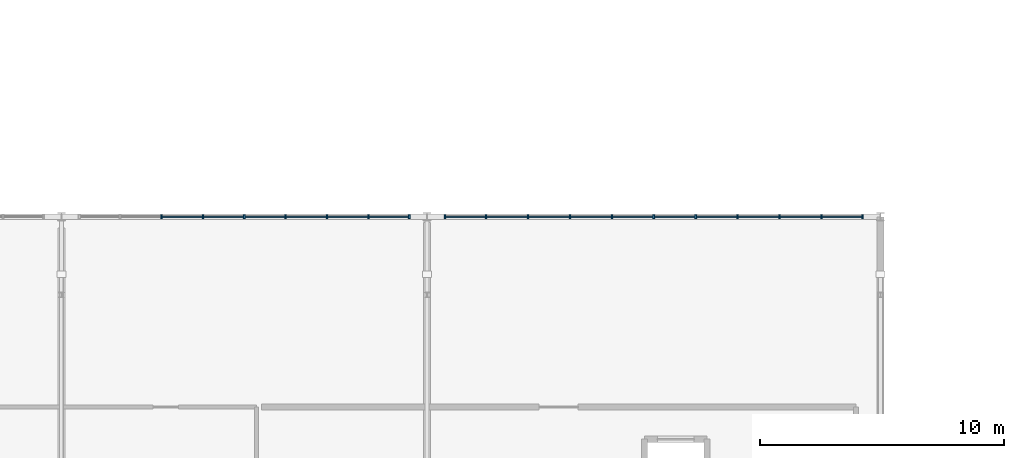
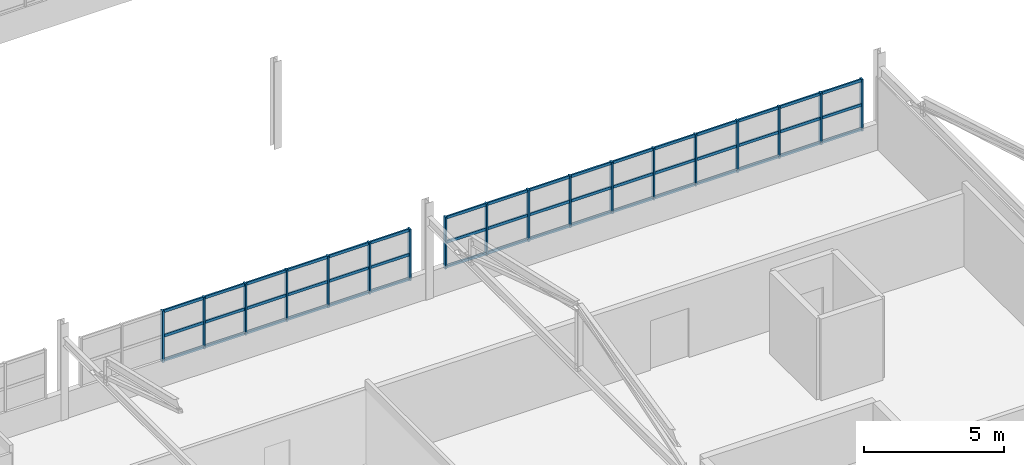
# One storey, part 25 of 90: 66 members, 2 elements without a shape of their own.
"""IFC4 building model written with IfcOpenShell, lengths in metres."""

from ifc_helpers import new_model, si_unit, direction, frame, origin, origin_2d, place, context, subcontext, project, spatial, rectangle, extrude, material, material_profile, profile_set, type_object, element, aggregate, save


model = new_model("IFC4")

# Units and contexts
model_context = context("Model", 3, precision=1e-05, world=origin(), true_north=direction((0.0, 1.0)))
body_context = subcontext(model_context, "Body", "Model", "MODEL_VIEW")
ifc_project = project(units=[si_unit("LENGTHUNIT", "METRE"), si_unit("AREAUNIT", "SQUARE_METRE"), si_unit("VOLUMEUNIT", "CUBIC_METRE"), si_unit("PLANEANGLEUNIT", "RADIAN"), si_unit("MASSUNIT", "GRAM", prefix="KILO")], contexts=[model_context])

# Site, building, storey
site_placement = place(None, origin())
site = spatial("IfcSite", under=ifc_project, at=site_placement, CompositionType="ELEMENT")
building_placement = place(site_placement, origin())
building = spatial("IfcBuilding", under=site, at=building_placement, Name="Solanera Park Tramway Depot", CompositionType="ELEMENT")
storey_placement = place(building_placement, frame((0.0, 0.0, 9.0)))
storey = spatial("IfcBuildingStorey", under=building, at=storey_placement, Name="L02", CompositionType="ELEMENT", Elevation=9.0)

# Curtain wall, members
ifc_material_1 = material(Name="Bronze-anodised thermally broken aluminium curtain wall", Category="aluminium")
curtain_wall_type = type_object("IfcCurtainWallType", Name="Workshop Daylight Ribbon Curtain Wall", PredefinedType="NOTDEFINED", material=ifc_material_1)
curtain_wall_1_placement = place(storey_placement, origin())
curtain_wall_1 = element("IfcCurtainWall", 1, at=curtain_wall_1_placement, inside=storey, type_object=curtain_wall_type, Name="L02 Workshop Daylight Ribbon Curtain Wall #161", PredefinedType="NOTDEFINED")
ifc_material_2 = material(Name="Bronze-anodised structural aluminium 6063-T6", Category="aluminium")
ifc_material_profile_1 = material_profile(ifc_material_2, rectangle(XDim=0.06494140625, YDim=0.14990234375, at=origin_2d()), Name="Curtain Wall Mullion 65x150")
ifc_profile_set_1 = profile_set([ifc_material_profile_1], Name="Bronze-anodised structural aluminium 6063-T6")
member_type_1 = type_object("IfcMemberType", Name="Curtain Wall Mullion 65x150", PredefinedType="MULLION", material=ifc_profile_set_1)
member_1_placement = place(storey_placement, frame((64.10009765625, 32.39990234375, 1.0), z_axis=(0.0, 0.0, 1.0), x_axis=(1.0, 0.0, 0.0)))
member_1 = element("IfcMember", 2, at=member_1_placement, type_object=member_type_1, Name="CW-L02-161 Mullion 3", PredefinedType="MULLION", context=body_context, shape_type="SweptSolid", body=[
    extrude(rectangle(XDim=0.06494140625, YDim=0.14990234375, at=origin_2d()), origin(), (0.0, 0.0, 1.0), 2.25),
])
member_2_placement = place(storey_placement, frame((65.800048828125, 32.39990234375, 1.0), z_axis=(0.0, 0.0, 1.0), x_axis=(1.0, 0.0, 0.0)))
member_2 = element("IfcMember", 3, at=member_2_placement, type_object=member_type_1, Name="CW-L02-161 Mullion 4", PredefinedType="MULLION", context=body_context, shape_type="SweptSolid", body=[
    extrude(rectangle(XDim=0.06494140625, YDim=0.14990234375, at=origin_2d()), origin(), (0.0, 0.0, 1.0), 2.25),
])
member_3_placement = place(storey_placement, frame((67.5, 32.39990234375, 1.0), z_axis=(0.0, 0.0, 1.0), x_axis=(1.0, 0.0, 0.0)))
member_3 = element("IfcMember", 4, at=member_3_placement, type_object=member_type_1, Name="CW-L02-161 Mullion 5", PredefinedType="MULLION", context=body_context, shape_type="SweptSolid", body=[
    extrude(rectangle(XDim=0.06494140625, YDim=0.14990234375, at=origin_2d()), origin(), (0.0, 0.0, 1.0), 2.25),
])
member_4_placement = place(storey_placement, frame((69.199951171875, 32.39990234375, 1.0), z_axis=(0.0, 0.0, 1.0), x_axis=(1.0, 0.0, 0.0)))
member_4 = element("IfcMember", 5, at=member_4_placement, type_object=member_type_1, Name="CW-L02-161 Mullion 6", PredefinedType="MULLION", context=body_context, shape_type="SweptSolid", body=[
    extrude(rectangle(XDim=0.06494140625, YDim=0.14990234375, at=origin_2d()), origin(), (0.0, 0.0, 1.0), 2.25),
])
member_5_placement = place(storey_placement, frame((70.89990234375, 32.39990234375, 1.0), z_axis=(0.0, 0.0, 1.0), x_axis=(1.0, 0.0, 0.0)))
member_5 = element("IfcMember", 6, at=member_5_placement, type_object=member_type_1, Name="CW-L02-161 Mullion 7", PredefinedType="MULLION", context=body_context, shape_type="SweptSolid", body=[
    extrude(rectangle(XDim=0.06494140625, YDim=0.14990234375, at=origin_2d()), origin(), (0.0, 0.0, 1.0), 2.25),
])
member_6_placement = place(storey_placement, frame((72.60009765625, 32.39990234375, 1.0), z_axis=(0.0, 0.0, 1.0), x_axis=(1.0, 0.0, 0.0)))
member_6 = element("IfcMember", 7, at=member_6_placement, type_object=member_type_1, Name="CW-L02-161 Mullion 8", PredefinedType="MULLION", context=body_context, shape_type="SweptSolid", body=[
    extrude(rectangle(XDim=0.06494140625, YDim=0.14990234375, at=origin_2d()), origin(), (0.0, 0.0, 1.0), 2.25),
])
member_7_placement = place(storey_placement, frame((74.267578125, 32.39990234375, 1.0), z_axis=(0.0, 0.0, 1.0), x_axis=(1.0, 0.0, 0.0)))
member_7 = element("IfcMember", 8, at=member_7_placement, type_object=member_type_1, Name="CW-L02-161 Mullion 9", PredefinedType="MULLION", context=body_context, shape_type="SweptSolid", body=[
    extrude(rectangle(XDim=0.06494140625, YDim=0.14990234375, at=origin_2d()), origin(), (0.0, 0.0, 1.0), 2.25),
])

curtain_wall_2_placement = place(storey_placement, origin())
curtain_wall_2 = element("IfcCurtainWall", 9, at=curtain_wall_2_placement, inside=storey, type_object=curtain_wall_type, Name="L02 Workshop Daylight Ribbon Curtain Wall #163", PredefinedType="NOTDEFINED")
member_8_placement = place(storey_placement, frame((75.732421875, 32.39990234375, 1.0), z_axis=(0.0, 0.0, 1.0), x_axis=(1.0, 0.0, 0.0)))
member_8 = element("IfcMember", 10, at=member_8_placement, type_object=member_type_1, Name="CW-L02-163 Mullion 1", PredefinedType="MULLION", context=body_context, shape_type="SweptSolid", body=[
    extrude(rectangle(XDim=0.06494140625, YDim=0.14990234375, at=origin_2d()), origin(), (0.0, 0.0, 1.0), 2.25),
])
member_9_placement = place(storey_placement, frame((77.419921875, 32.39990234375, 1.0), z_axis=(0.0, 0.0, 1.0), x_axis=(1.0, 0.0, 0.0)))
member_9 = element("IfcMember", 11, at=member_9_placement, type_object=member_type_1, Name="CW-L02-163 Mullion 2", PredefinedType="MULLION", context=body_context, shape_type="SweptSolid", body=[
    extrude(rectangle(XDim=0.06494140625, YDim=0.14990234375, at=origin_2d()), origin(), (0.0, 0.0, 1.0), 2.25),
])
member_10_placement = place(storey_placement, frame((79.139892578125, 32.39990234375, 1.0), z_axis=(0.0, 0.0, 1.0), x_axis=(1.0, 0.0, 0.0)))
member_10 = element("IfcMember", 12, at=member_10_placement, type_object=member_type_1, Name="CW-L02-163 Mullion 3", PredefinedType="MULLION", context=body_context, shape_type="SweptSolid", body=[
    extrude(rectangle(XDim=0.06494140625, YDim=0.14990234375, at=origin_2d()), origin(), (0.0, 0.0, 1.0), 2.25),
])
member_11_placement = place(storey_placement, frame((80.860107421875, 32.39990234375, 1.0), z_axis=(0.0, 0.0, 1.0), x_axis=(1.0, 0.0, 0.0)))
member_11 = element("IfcMember", 13, at=member_11_placement, type_object=member_type_1, Name="CW-L02-163 Mullion 4", PredefinedType="MULLION", context=body_context, shape_type="SweptSolid", body=[
    extrude(rectangle(XDim=0.06494140625, YDim=0.14990234375, at=origin_2d()), origin(), (0.0, 0.0, 1.0), 2.25),
])
member_12_placement = place(storey_placement, frame((82.580078125, 32.39990234375, 1.0), z_axis=(0.0, 0.0, 1.0), x_axis=(1.0, 0.0, 0.0)))
member_12 = element("IfcMember", 14, at=member_12_placement, type_object=member_type_1, Name="CW-L02-163 Mullion 5", PredefinedType="MULLION", context=body_context, shape_type="SweptSolid", body=[
    extrude(rectangle(XDim=0.06494140625, YDim=0.14990234375, at=origin_2d()), origin(), (0.0, 0.0, 1.0), 2.25),
])
member_13_placement = place(storey_placement, frame((84.300048828125, 32.39990234375, 1.0), z_axis=(0.0, 0.0, 1.0), x_axis=(1.0, 0.0, 0.0)))
member_13 = element("IfcMember", 15, at=member_13_placement, type_object=member_type_1, Name="CW-L02-163 Mullion 6", PredefinedType="MULLION", context=body_context, shape_type="SweptSolid", body=[
    extrude(rectangle(XDim=0.06494140625, YDim=0.14990234375, at=origin_2d()), origin(), (0.0, 0.0, 1.0), 2.25),
])
member_14_placement = place(storey_placement, frame((86.02001953125, 32.39990234375, 1.0), z_axis=(0.0, 0.0, 1.0), x_axis=(1.0, 0.0, 0.0)))
member_14 = element("IfcMember", 16, at=member_14_placement, type_object=member_type_1, Name="CW-L02-163 Mullion 7", PredefinedType="MULLION", context=body_context, shape_type="SweptSolid", body=[
    extrude(rectangle(XDim=0.06494140625, YDim=0.14990234375, at=origin_2d()), origin(), (0.0, 0.0, 1.0), 2.25),
])
member_15_placement = place(storey_placement, frame((87.739990234375, 32.39990234375, 1.0), z_axis=(0.0, 0.0, 1.0), x_axis=(1.0, 0.0, 0.0)))
member_15 = element("IfcMember", 17, at=member_15_placement, type_object=member_type_1, Name="CW-L02-163 Mullion 8", PredefinedType="MULLION", context=body_context, shape_type="SweptSolid", body=[
    extrude(rectangle(XDim=0.06494140625, YDim=0.14990234375, at=origin_2d()), origin(), (0.0, 0.0, 1.0), 2.25),
])
member_16_placement = place(storey_placement, frame((89.4599609375, 32.39990234375, 1.0), z_axis=(0.0, 0.0, 1.0), x_axis=(1.0, 0.0, 0.0)))
member_16 = element("IfcMember", 18, at=member_16_placement, type_object=member_type_1, Name="CW-L02-163 Mullion 9", PredefinedType="MULLION", context=body_context, shape_type="SweptSolid", body=[
    extrude(rectangle(XDim=0.06494140625, YDim=0.14990234375, at=origin_2d()), origin(), (0.0, 0.0, 1.0), 2.25),
])
member_17_placement = place(storey_placement, frame((91.179931640625, 32.39990234375, 1.0), z_axis=(0.0, 0.0, 1.0), x_axis=(1.0, 0.0, 0.0)))
member_17 = element("IfcMember", 19, at=member_17_placement, type_object=member_type_1, Name="CW-L02-163 Mullion 10", PredefinedType="MULLION", context=body_context, shape_type="SweptSolid", body=[
    extrude(rectangle(XDim=0.06494140625, YDim=0.14990234375, at=origin_2d()), origin(), (0.0, 0.0, 1.0), 2.25),
])
member_18_placement = place(storey_placement, frame((92.867431640625, 32.39990234375, 1.0), z_axis=(0.0, 0.0, 1.0), x_axis=(1.0, 0.0, 0.0)))
member_18 = element("IfcMember", 20, at=member_18_placement, type_object=member_type_1, Name="CW-L02-163 Mullion 11", PredefinedType="MULLION", context=body_context, shape_type="SweptSolid", body=[
    extrude(rectangle(XDim=0.06494140625, YDim=0.14990234375, at=origin_2d()), origin(), (0.0, 0.0, 1.0), 2.25),
])

# Member
ifc_material_3 = material(Name="Bronze-anodised structural aluminium 6063-T6", Category="aluminium")
ifc_material_profile_2 = material_profile(ifc_material_3, rectangle(XDim=0.06494140625, YDim=0.1201171875, at=origin_2d()), Name="Curtain Wall Transom 65x120")
ifc_profile_set_2 = profile_set([ifc_material_profile_2], Name="Bronze-anodised structural aluminium 6063-T6")
member_type_2 = type_object("IfcMemberType", Name="Curtain Wall Transom 65x120", PredefinedType="USERDEFINED", material=ifc_profile_set_2)
member_19_placement = place(storey_placement, frame((64.1279296875, 32.39990234375, 1.06005859375), z_axis=(1.0, 0.0, 0.0), x_axis=(0.0, 1.0, 0.0)))
member_19 = element("IfcMember", 21, at=member_19_placement, type_object=member_type_2, Name="CW-L02-161 Transom R1.C3", ObjectType="TRANSOM", PredefinedType="USERDEFINED", context=body_context, shape_type="SweptSolid", body=[
    extrude(rectangle(XDim=0.06494140625, YDim=0.1201171875, at=origin_2d()), origin(), (0.0, 0.0, 1.0), 1.64404296875),
])

member_20_placement = place(storey_placement, frame((65.827880859375, 32.39990234375, 1.06005859375), z_axis=(1.0, 0.0, 0.0), x_axis=(0.0, 1.0, 0.0)))
member_20 = element("IfcMember", 22, at=member_20_placement, type_object=member_type_2, Name="CW-L02-161 Transom R1.C4", ObjectType="TRANSOM", PredefinedType="USERDEFINED", context=body_context, shape_type="SweptSolid", body=[
    extrude(rectangle(XDim=0.06494140625, YDim=0.1201171875, at=origin_2d()), origin(), (0.0, 0.0, 1.0), 1.64404296875),
])

member_21_placement = place(storey_placement, frame((67.528076171875, 32.39990234375, 1.06005859375), z_axis=(1.0, 0.0, 0.0), x_axis=(0.0, 1.0, 0.0)))
member_21 = element("IfcMember", 23, at=member_21_placement, type_object=member_type_2, Name="CW-L02-161 Transom R1.C5", ObjectType="TRANSOM", PredefinedType="USERDEFINED", context=body_context, shape_type="SweptSolid", body=[
    extrude(rectangle(XDim=0.06494140625, YDim=0.1201171875, at=origin_2d()), origin(), (0.0, 0.0, 1.0), 1.64404296875),
])

member_22_placement = place(storey_placement, frame((69.22802734375, 32.39990234375, 1.06005859375), z_axis=(1.0, 0.0, 0.0), x_axis=(0.0, 1.0, 0.0)))
member_22 = element("IfcMember", 24, at=member_22_placement, type_object=member_type_2, Name="CW-L02-161 Transom R1.C6", ObjectType="TRANSOM", PredefinedType="USERDEFINED", context=body_context, shape_type="SweptSolid", body=[
    extrude(rectangle(XDim=0.06494140625, YDim=0.1201171875, at=origin_2d()), origin(), (0.0, 0.0, 1.0), 1.64404296875),
])

member_23_placement = place(storey_placement, frame((70.927978515625, 32.39990234375, 1.06005859375), z_axis=(1.0, 0.0, 0.0), x_axis=(0.0, 1.0, 0.0)))
member_23 = element("IfcMember", 25, at=member_23_placement, type_object=member_type_2, Name="CW-L02-161 Transom R1.C7", ObjectType="TRANSOM", PredefinedType="USERDEFINED", context=body_context, shape_type="SweptSolid", body=[
    extrude(rectangle(XDim=0.06494140625, YDim=0.1201171875, at=origin_2d()), origin(), (0.0, 0.0, 1.0), 1.64404296875),
])

member_24_placement = place(storey_placement, frame((72.6279296875, 32.39990234375, 1.06005859375), z_axis=(1.0, 0.0, 0.0), x_axis=(0.0, 1.0, 0.0)))
member_24 = element("IfcMember", 26, at=member_24_placement, type_object=member_type_2, Name="CW-L02-161 Transom R1.C8", ObjectType="TRANSOM", PredefinedType="USERDEFINED", context=body_context, shape_type="SweptSolid", body=[
    extrude(rectangle(XDim=0.06494140625, YDim=0.1201171875, at=origin_2d()), origin(), (0.0, 0.0, 1.0), 1.611572265625),
])

member_25_placement = place(storey_placement, frame((64.1279296875, 32.39990234375, 2.125), z_axis=(1.0, 0.0, 0.0), x_axis=(0.0, 1.0, 0.0)))
member_25 = element("IfcMember", 27, at=member_25_placement, type_object=member_type_2, Name="CW-L02-161 Transom R2.C3", ObjectType="TRANSOM", PredefinedType="USERDEFINED", context=body_context, shape_type="SweptSolid", body=[
    extrude(rectangle(XDim=0.06494140625, YDim=0.1201171875, at=origin_2d()), origin(), (0.0, 0.0, 1.0), 1.64404296875),
])

member_26_placement = place(storey_placement, frame((65.827880859375, 32.39990234375, 2.125), z_axis=(1.0, 0.0, 0.0), x_axis=(0.0, 1.0, 0.0)))
member_26 = element("IfcMember", 28, at=member_26_placement, type_object=member_type_2, Name="CW-L02-161 Transom R2.C4", ObjectType="TRANSOM", PredefinedType="USERDEFINED", context=body_context, shape_type="SweptSolid", body=[
    extrude(rectangle(XDim=0.06494140625, YDim=0.1201171875, at=origin_2d()), origin(), (0.0, 0.0, 1.0), 1.64404296875),
])

member_27_placement = place(storey_placement, frame((67.528076171875, 32.39990234375, 2.125), z_axis=(1.0, 0.0, 0.0), x_axis=(0.0, 1.0, 0.0)))
member_27 = element("IfcMember", 29, at=member_27_placement, type_object=member_type_2, Name="CW-L02-161 Transom R2.C5", ObjectType="TRANSOM", PredefinedType="USERDEFINED", context=body_context, shape_type="SweptSolid", body=[
    extrude(rectangle(XDim=0.06494140625, YDim=0.1201171875, at=origin_2d()), origin(), (0.0, 0.0, 1.0), 1.64404296875),
])

member_28_placement = place(storey_placement, frame((69.22802734375, 32.39990234375, 2.125), z_axis=(1.0, 0.0, 0.0), x_axis=(0.0, 1.0, 0.0)))
member_28 = element("IfcMember", 30, at=member_28_placement, type_object=member_type_2, Name="CW-L02-161 Transom R2.C6", ObjectType="TRANSOM", PredefinedType="USERDEFINED", context=body_context, shape_type="SweptSolid", body=[
    extrude(rectangle(XDim=0.06494140625, YDim=0.1201171875, at=origin_2d()), origin(), (0.0, 0.0, 1.0), 1.64404296875),
])

member_29_placement = place(storey_placement, frame((70.927978515625, 32.39990234375, 2.125), z_axis=(1.0, 0.0, 0.0), x_axis=(0.0, 1.0, 0.0)))
member_29 = element("IfcMember", 31, at=member_29_placement, type_object=member_type_2, Name="CW-L02-161 Transom R2.C7", ObjectType="TRANSOM", PredefinedType="USERDEFINED", context=body_context, shape_type="SweptSolid", body=[
    extrude(rectangle(XDim=0.06494140625, YDim=0.1201171875, at=origin_2d()), origin(), (0.0, 0.0, 1.0), 1.64404296875),
])

member_30_placement = place(storey_placement, frame((72.6279296875, 32.39990234375, 2.125), z_axis=(1.0, 0.0, 0.0), x_axis=(0.0, 1.0, 0.0)))
member_30 = element("IfcMember", 32, at=member_30_placement, type_object=member_type_2, Name="CW-L02-161 Transom R2.C8", ObjectType="TRANSOM", PredefinedType="USERDEFINED", context=body_context, shape_type="SweptSolid", body=[
    extrude(rectangle(XDim=0.06494140625, YDim=0.1201171875, at=origin_2d()), origin(), (0.0, 0.0, 1.0), 1.611572265625),
])

member_31_placement = place(storey_placement, frame((64.1279296875, 32.39990234375, 3.18994140625), z_axis=(1.0, 0.0, 0.0), x_axis=(0.0, 1.0, 0.0)))
member_31 = element("IfcMember", 33, at=member_31_placement, type_object=member_type_2, Name="CW-L02-161 Transom R3.C3", ObjectType="TRANSOM", PredefinedType="USERDEFINED", context=body_context, shape_type="SweptSolid", body=[
    extrude(rectangle(XDim=0.06494140625, YDim=0.1201171875, at=origin_2d()), origin(), (0.0, 0.0, 1.0), 1.64404296875),
])

member_32_placement = place(storey_placement, frame((65.827880859375, 32.39990234375, 3.18994140625), z_axis=(1.0, 0.0, 0.0), x_axis=(0.0, 1.0, 0.0)))
member_32 = element("IfcMember", 34, at=member_32_placement, type_object=member_type_2, Name="CW-L02-161 Transom R3.C4", ObjectType="TRANSOM", PredefinedType="USERDEFINED", context=body_context, shape_type="SweptSolid", body=[
    extrude(rectangle(XDim=0.06494140625, YDim=0.1201171875, at=origin_2d()), origin(), (0.0, 0.0, 1.0), 1.64404296875),
])

member_33_placement = place(storey_placement, frame((67.528076171875, 32.39990234375, 3.18994140625), z_axis=(1.0, 0.0, 0.0), x_axis=(0.0, 1.0, 0.0)))
member_33 = element("IfcMember", 35, at=member_33_placement, type_object=member_type_2, Name="CW-L02-161 Transom R3.C5", ObjectType="TRANSOM", PredefinedType="USERDEFINED", context=body_context, shape_type="SweptSolid", body=[
    extrude(rectangle(XDim=0.06494140625, YDim=0.1201171875, at=origin_2d()), origin(), (0.0, 0.0, 1.0), 1.64404296875),
])

member_34_placement = place(storey_placement, frame((69.22802734375, 32.39990234375, 3.18994140625), z_axis=(1.0, 0.0, 0.0), x_axis=(0.0, 1.0, 0.0)))
member_34 = element("IfcMember", 36, at=member_34_placement, type_object=member_type_2, Name="CW-L02-161 Transom R3.C6", ObjectType="TRANSOM", PredefinedType="USERDEFINED", context=body_context, shape_type="SweptSolid", body=[
    extrude(rectangle(XDim=0.06494140625, YDim=0.1201171875, at=origin_2d()), origin(), (0.0, 0.0, 1.0), 1.64404296875),
])

member_35_placement = place(storey_placement, frame((70.927978515625, 32.39990234375, 3.18994140625), z_axis=(1.0, 0.0, 0.0), x_axis=(0.0, 1.0, 0.0)))
member_35 = element("IfcMember", 37, at=member_35_placement, type_object=member_type_2, Name="CW-L02-161 Transom R3.C7", ObjectType="TRANSOM", PredefinedType="USERDEFINED", context=body_context, shape_type="SweptSolid", body=[
    extrude(rectangle(XDim=0.06494140625, YDim=0.1201171875, at=origin_2d()), origin(), (0.0, 0.0, 1.0), 1.64404296875),
])

member_36_placement = place(storey_placement, frame((72.6279296875, 32.39990234375, 3.18994140625), z_axis=(1.0, 0.0, 0.0), x_axis=(0.0, 1.0, 0.0)))
member_36 = element("IfcMember", 38, at=member_36_placement, type_object=member_type_2, Name="CW-L02-161 Transom R3.C8", ObjectType="TRANSOM", PredefinedType="USERDEFINED", context=body_context, shape_type="SweptSolid", body=[
    extrude(rectangle(XDim=0.06494140625, YDim=0.1201171875, at=origin_2d()), origin(), (0.0, 0.0, 1.0), 1.611572265625),
])

aggregate(curtain_wall_1, [member_1, member_2, member_3, member_4, member_5, member_6, member_7, member_19, member_20, member_21, member_22, member_23, member_24, member_25, member_26, member_27, member_28, member_29, member_30, member_31, member_32, member_33, member_34, member_35, member_36])

member_37_placement = place(storey_placement, frame((75.760498046875, 32.39990234375, 1.06005859375), z_axis=(1.0, 0.0, 0.0), x_axis=(0.0, 1.0, 0.0)))
member_37 = element("IfcMember", 39, at=member_37_placement, type_object=member_type_2, Name="CW-L02-163 Transom R1.C1", ObjectType="TRANSOM", PredefinedType="USERDEFINED", context=body_context, shape_type="SweptSolid", body=[
    extrude(rectangle(XDim=0.06494140625, YDim=0.1201171875, at=origin_2d()), origin(), (0.0, 0.0, 1.0), 1.631591796875),
])

member_38_placement = place(storey_placement, frame((77.447998046875, 32.39990234375, 1.06005859375), z_axis=(1.0, 0.0, 0.0), x_axis=(0.0, 1.0, 0.0)))
member_38 = element("IfcMember", 40, at=member_38_placement, type_object=member_type_2, Name="CW-L02-163 Transom R1.C2", ObjectType="TRANSOM", PredefinedType="USERDEFINED", context=body_context, shape_type="SweptSolid", body=[
    extrude(rectangle(XDim=0.06494140625, YDim=0.1201171875, at=origin_2d()), origin(), (0.0, 0.0, 1.0), 1.6640625),
])

member_39_placement = place(storey_placement, frame((79.16796875, 32.39990234375, 1.06005859375), z_axis=(1.0, 0.0, 0.0), x_axis=(0.0, 1.0, 0.0)))
member_39 = element("IfcMember", 41, at=member_39_placement, type_object=member_type_2, Name="CW-L02-163 Transom R1.C3", ObjectType="TRANSOM", PredefinedType="USERDEFINED", context=body_context, shape_type="SweptSolid", body=[
    extrude(rectangle(XDim=0.06494140625, YDim=0.1201171875, at=origin_2d()), origin(), (0.0, 0.0, 1.0), 1.6640625),
])

member_40_placement = place(storey_placement, frame((80.887939453125, 32.39990234375, 1.06005859375), z_axis=(1.0, 0.0, 0.0), x_axis=(0.0, 1.0, 0.0)))
member_40 = element("IfcMember", 42, at=member_40_placement, type_object=member_type_2, Name="CW-L02-163 Transom R1.C4", ObjectType="TRANSOM", PredefinedType="USERDEFINED", context=body_context, shape_type="SweptSolid", body=[
    extrude(rectangle(XDim=0.06494140625, YDim=0.1201171875, at=origin_2d()), origin(), (0.0, 0.0, 1.0), 1.6640625),
])

member_41_placement = place(storey_placement, frame((82.60791015625, 32.39990234375, 1.06005859375), z_axis=(1.0, 0.0, 0.0), x_axis=(0.0, 1.0, 0.0)))
member_41 = element("IfcMember", 43, at=member_41_placement, type_object=member_type_2, Name="CW-L02-163 Transom R1.C5", ObjectType="TRANSOM", PredefinedType="USERDEFINED", context=body_context, shape_type="SweptSolid", body=[
    extrude(rectangle(XDim=0.06494140625, YDim=0.1201171875, at=origin_2d()), origin(), (0.0, 0.0, 1.0), 1.6640625),
])

member_42_placement = place(storey_placement, frame((84.327880859375, 32.39990234375, 1.06005859375), z_axis=(1.0, 0.0, 0.0), x_axis=(0.0, 1.0, 0.0)))
member_42 = element("IfcMember", 44, at=member_42_placement, type_object=member_type_2, Name="CW-L02-163 Transom R1.C6", ObjectType="TRANSOM", PredefinedType="USERDEFINED", context=body_context, shape_type="SweptSolid", body=[
    extrude(rectangle(XDim=0.06494140625, YDim=0.1201171875, at=origin_2d()), origin(), (0.0, 0.0, 1.0), 1.6640625),
])

member_43_placement = place(storey_placement, frame((86.048095703125, 32.39990234375, 1.06005859375), z_axis=(1.0, 0.0, 0.0), x_axis=(0.0, 1.0, 0.0)))
member_43 = element("IfcMember", 45, at=member_43_placement, type_object=member_type_2, Name="CW-L02-163 Transom R1.C7", ObjectType="TRANSOM", PredefinedType="USERDEFINED", context=body_context, shape_type="SweptSolid", body=[
    extrude(rectangle(XDim=0.06494140625, YDim=0.1201171875, at=origin_2d()), origin(), (0.0, 0.0, 1.0), 1.663818359375),
])

member_44_placement = place(storey_placement, frame((87.76806640625, 32.39990234375, 1.06005859375), z_axis=(1.0, 0.0, 0.0), x_axis=(0.0, 1.0, 0.0)))
member_44 = element("IfcMember", 46, at=member_44_placement, type_object=member_type_2, Name="CW-L02-163 Transom R1.C8", ObjectType="TRANSOM", PredefinedType="USERDEFINED", context=body_context, shape_type="SweptSolid", body=[
    extrude(rectangle(XDim=0.06494140625, YDim=0.1201171875, at=origin_2d()), origin(), (0.0, 0.0, 1.0), 1.663818359375),
])

member_45_placement = place(storey_placement, frame((89.488037109375, 32.39990234375, 1.06005859375), z_axis=(1.0, 0.0, 0.0), x_axis=(0.0, 1.0, 0.0)))
member_45 = element("IfcMember", 47, at=member_45_placement, type_object=member_type_2, Name="CW-L02-163 Transom R1.C9", ObjectType="TRANSOM", PredefinedType="USERDEFINED", context=body_context, shape_type="SweptSolid", body=[
    extrude(rectangle(XDim=0.06494140625, YDim=0.1201171875, at=origin_2d()), origin(), (0.0, 0.0, 1.0), 1.6640625),
])

member_46_placement = place(storey_placement, frame((91.2080078125, 32.39990234375, 1.06005859375), z_axis=(1.0, 0.0, 0.0), x_axis=(0.0, 1.0, 0.0)))
member_46 = element("IfcMember", 48, at=member_46_placement, type_object=member_type_2, Name="CW-L02-163 Transom R1.C10", ObjectType="TRANSOM", PredefinedType="USERDEFINED", context=body_context, shape_type="SweptSolid", body=[
    extrude(rectangle(XDim=0.06494140625, YDim=0.1201171875, at=origin_2d()), origin(), (0.0, 0.0, 1.0), 1.631591796875),
])

member_47_placement = place(storey_placement, frame((75.760498046875, 32.39990234375, 2.125), z_axis=(1.0, 0.0, 0.0), x_axis=(0.0, 1.0, 0.0)))
member_47 = element("IfcMember", 49, at=member_47_placement, type_object=member_type_2, Name="CW-L02-163 Transom R2.C1", ObjectType="TRANSOM", PredefinedType="USERDEFINED", context=body_context, shape_type="SweptSolid", body=[
    extrude(rectangle(XDim=0.06494140625, YDim=0.1201171875, at=origin_2d()), origin(), (0.0, 0.0, 1.0), 1.631591796875),
])

member_48_placement = place(storey_placement, frame((77.447998046875, 32.39990234375, 2.125), z_axis=(1.0, 0.0, 0.0), x_axis=(0.0, 1.0, 0.0)))
member_48 = element("IfcMember", 50, at=member_48_placement, type_object=member_type_2, Name="CW-L02-163 Transom R2.C2", ObjectType="TRANSOM", PredefinedType="USERDEFINED", context=body_context, shape_type="SweptSolid", body=[
    extrude(rectangle(XDim=0.06494140625, YDim=0.1201171875, at=origin_2d()), origin(), (0.0, 0.0, 1.0), 1.6640625),
])

member_49_placement = place(storey_placement, frame((79.16796875, 32.39990234375, 2.125), z_axis=(1.0, 0.0, 0.0), x_axis=(0.0, 1.0, 0.0)))
member_49 = element("IfcMember", 51, at=member_49_placement, type_object=member_type_2, Name="CW-L02-163 Transom R2.C3", ObjectType="TRANSOM", PredefinedType="USERDEFINED", context=body_context, shape_type="SweptSolid", body=[
    extrude(rectangle(XDim=0.06494140625, YDim=0.1201171875, at=origin_2d()), origin(), (0.0, 0.0, 1.0), 1.6640625),
])

member_50_placement = place(storey_placement, frame((80.887939453125, 32.39990234375, 2.125), z_axis=(1.0, 0.0, 0.0), x_axis=(0.0, 1.0, 0.0)))
member_50 = element("IfcMember", 52, at=member_50_placement, type_object=member_type_2, Name="CW-L02-163 Transom R2.C4", ObjectType="TRANSOM", PredefinedType="USERDEFINED", context=body_context, shape_type="SweptSolid", body=[
    extrude(rectangle(XDim=0.06494140625, YDim=0.1201171875, at=origin_2d()), origin(), (0.0, 0.0, 1.0), 1.6640625),
])

member_51_placement = place(storey_placement, frame((82.60791015625, 32.39990234375, 2.125), z_axis=(1.0, 0.0, 0.0), x_axis=(0.0, 1.0, 0.0)))
member_51 = element("IfcMember", 53, at=member_51_placement, type_object=member_type_2, Name="CW-L02-163 Transom R2.C5", ObjectType="TRANSOM", PredefinedType="USERDEFINED", context=body_context, shape_type="SweptSolid", body=[
    extrude(rectangle(XDim=0.06494140625, YDim=0.1201171875, at=origin_2d()), origin(), (0.0, 0.0, 1.0), 1.6640625),
])

member_52_placement = place(storey_placement, frame((84.327880859375, 32.39990234375, 2.125), z_axis=(1.0, 0.0, 0.0), x_axis=(0.0, 1.0, 0.0)))
member_52 = element("IfcMember", 54, at=member_52_placement, type_object=member_type_2, Name="CW-L02-163 Transom R2.C6", ObjectType="TRANSOM", PredefinedType="USERDEFINED", context=body_context, shape_type="SweptSolid", body=[
    extrude(rectangle(XDim=0.06494140625, YDim=0.1201171875, at=origin_2d()), origin(), (0.0, 0.0, 1.0), 1.6640625),
])

member_53_placement = place(storey_placement, frame((86.048095703125, 32.39990234375, 2.125), z_axis=(1.0, 0.0, 0.0), x_axis=(0.0, 1.0, 0.0)))
member_53 = element("IfcMember", 55, at=member_53_placement, type_object=member_type_2, Name="CW-L02-163 Transom R2.C7", ObjectType="TRANSOM", PredefinedType="USERDEFINED", context=body_context, shape_type="SweptSolid", body=[
    extrude(rectangle(XDim=0.06494140625, YDim=0.1201171875, at=origin_2d()), origin(), (0.0, 0.0, 1.0), 1.663818359375),
])

member_54_placement = place(storey_placement, frame((87.76806640625, 32.39990234375, 2.125), z_axis=(1.0, 0.0, 0.0), x_axis=(0.0, 1.0, 0.0)))
member_54 = element("IfcMember", 56, at=member_54_placement, type_object=member_type_2, Name="CW-L02-163 Transom R2.C8", ObjectType="TRANSOM", PredefinedType="USERDEFINED", context=body_context, shape_type="SweptSolid", body=[
    extrude(rectangle(XDim=0.06494140625, YDim=0.1201171875, at=origin_2d()), origin(), (0.0, 0.0, 1.0), 1.663818359375),
])

member_55_placement = place(storey_placement, frame((89.488037109375, 32.39990234375, 2.125), z_axis=(1.0, 0.0, 0.0), x_axis=(0.0, 1.0, 0.0)))
member_55 = element("IfcMember", 57, at=member_55_placement, type_object=member_type_2, Name="CW-L02-163 Transom R2.C9", ObjectType="TRANSOM", PredefinedType="USERDEFINED", context=body_context, shape_type="SweptSolid", body=[
    extrude(rectangle(XDim=0.06494140625, YDim=0.1201171875, at=origin_2d()), origin(), (0.0, 0.0, 1.0), 1.6640625),
])

member_56_placement = place(storey_placement, frame((91.2080078125, 32.39990234375, 2.125), z_axis=(1.0, 0.0, 0.0), x_axis=(0.0, 1.0, 0.0)))
member_56 = element("IfcMember", 58, at=member_56_placement, type_object=member_type_2, Name="CW-L02-163 Transom R2.C10", ObjectType="TRANSOM", PredefinedType="USERDEFINED", context=body_context, shape_type="SweptSolid", body=[
    extrude(rectangle(XDim=0.06494140625, YDim=0.1201171875, at=origin_2d()), origin(), (0.0, 0.0, 1.0), 1.631591796875),
])

member_57_placement = place(storey_placement, frame((75.760498046875, 32.39990234375, 3.18994140625), z_axis=(1.0, 0.0, 0.0), x_axis=(0.0, 1.0, 0.0)))
member_57 = element("IfcMember", 59, at=member_57_placement, type_object=member_type_2, Name="CW-L02-163 Transom R3.C1", ObjectType="TRANSOM", PredefinedType="USERDEFINED", context=body_context, shape_type="SweptSolid", body=[
    extrude(rectangle(XDim=0.06494140625, YDim=0.1201171875, at=origin_2d()), origin(), (0.0, 0.0, 1.0), 1.631591796875),
])

member_58_placement = place(storey_placement, frame((77.447998046875, 32.39990234375, 3.18994140625), z_axis=(1.0, 0.0, 0.0), x_axis=(0.0, 1.0, 0.0)))
member_58 = element("IfcMember", 60, at=member_58_placement, type_object=member_type_2, Name="CW-L02-163 Transom R3.C2", ObjectType="TRANSOM", PredefinedType="USERDEFINED", context=body_context, shape_type="SweptSolid", body=[
    extrude(rectangle(XDim=0.06494140625, YDim=0.1201171875, at=origin_2d()), origin(), (0.0, 0.0, 1.0), 1.6640625),
])

member_59_placement = place(storey_placement, frame((79.16796875, 32.39990234375, 3.18994140625), z_axis=(1.0, 0.0, 0.0), x_axis=(0.0, 1.0, 0.0)))
member_59 = element("IfcMember", 61, at=member_59_placement, type_object=member_type_2, Name="CW-L02-163 Transom R3.C3", ObjectType="TRANSOM", PredefinedType="USERDEFINED", context=body_context, shape_type="SweptSolid", body=[
    extrude(rectangle(XDim=0.06494140625, YDim=0.1201171875, at=origin_2d()), origin(), (0.0, 0.0, 1.0), 1.6640625),
])

member_60_placement = place(storey_placement, frame((80.887939453125, 32.39990234375, 3.18994140625), z_axis=(1.0, 0.0, 0.0), x_axis=(0.0, 1.0, 0.0)))
member_60 = element("IfcMember", 62, at=member_60_placement, type_object=member_type_2, Name="CW-L02-163 Transom R3.C4", ObjectType="TRANSOM", PredefinedType="USERDEFINED", context=body_context, shape_type="SweptSolid", body=[
    extrude(rectangle(XDim=0.06494140625, YDim=0.1201171875, at=origin_2d()), origin(), (0.0, 0.0, 1.0), 1.6640625),
])

member_61_placement = place(storey_placement, frame((82.60791015625, 32.39990234375, 3.18994140625), z_axis=(1.0, 0.0, 0.0), x_axis=(0.0, 1.0, 0.0)))
member_61 = element("IfcMember", 63, at=member_61_placement, type_object=member_type_2, Name="CW-L02-163 Transom R3.C5", ObjectType="TRANSOM", PredefinedType="USERDEFINED", context=body_context, shape_type="SweptSolid", body=[
    extrude(rectangle(XDim=0.06494140625, YDim=0.1201171875, at=origin_2d()), origin(), (0.0, 0.0, 1.0), 1.6640625),
])

member_62_placement = place(storey_placement, frame((84.327880859375, 32.39990234375, 3.18994140625), z_axis=(1.0, 0.0, 0.0), x_axis=(0.0, 1.0, 0.0)))
member_62 = element("IfcMember", 64, at=member_62_placement, type_object=member_type_2, Name="CW-L02-163 Transom R3.C6", ObjectType="TRANSOM", PredefinedType="USERDEFINED", context=body_context, shape_type="SweptSolid", body=[
    extrude(rectangle(XDim=0.06494140625, YDim=0.1201171875, at=origin_2d()), origin(), (0.0, 0.0, 1.0), 1.6640625),
])

member_63_placement = place(storey_placement, frame((86.048095703125, 32.39990234375, 3.18994140625), z_axis=(1.0, 0.0, 0.0), x_axis=(0.0, 1.0, 0.0)))
member_63 = element("IfcMember", 65, at=member_63_placement, type_object=member_type_2, Name="CW-L02-163 Transom R3.C7", ObjectType="TRANSOM", PredefinedType="USERDEFINED", context=body_context, shape_type="SweptSolid", body=[
    extrude(rectangle(XDim=0.06494140625, YDim=0.1201171875, at=origin_2d()), origin(), (0.0, 0.0, 1.0), 1.663818359375),
])

member_64_placement = place(storey_placement, frame((87.76806640625, 32.39990234375, 3.18994140625), z_axis=(1.0, 0.0, 0.0), x_axis=(0.0, 1.0, 0.0)))
member_64 = element("IfcMember", 66, at=member_64_placement, type_object=member_type_2, Name="CW-L02-163 Transom R3.C8", ObjectType="TRANSOM", PredefinedType="USERDEFINED", context=body_context, shape_type="SweptSolid", body=[
    extrude(rectangle(XDim=0.06494140625, YDim=0.1201171875, at=origin_2d()), origin(), (0.0, 0.0, 1.0), 1.663818359375),
])

member_65_placement = place(storey_placement, frame((89.488037109375, 32.39990234375, 3.18994140625), z_axis=(1.0, 0.0, 0.0), x_axis=(0.0, 1.0, 0.0)))
member_65 = element("IfcMember", 67, at=member_65_placement, type_object=member_type_2, Name="CW-L02-163 Transom R3.C9", ObjectType="TRANSOM", PredefinedType="USERDEFINED", context=body_context, shape_type="SweptSolid", body=[
    extrude(rectangle(XDim=0.06494140625, YDim=0.1201171875, at=origin_2d()), origin(), (0.0, 0.0, 1.0), 1.6640625),
])

member_66_placement = place(storey_placement, frame((91.2080078125, 32.39990234375, 3.18994140625), z_axis=(1.0, 0.0, 0.0), x_axis=(0.0, 1.0, 0.0)))
member_66 = element("IfcMember", 68, at=member_66_placement, type_object=member_type_2, Name="CW-L02-163 Transom R3.C10", ObjectType="TRANSOM", PredefinedType="USERDEFINED", context=body_context, shape_type="SweptSolid", body=[
    extrude(rectangle(XDim=0.06494140625, YDim=0.1201171875, at=origin_2d()), origin(), (0.0, 0.0, 1.0), 1.631591796875),
])

aggregate(curtain_wall_2, [member_8, member_9, member_10, member_11, member_12, member_13, member_14, member_15, member_16, member_17, member_18, member_37, member_38, member_39, member_40, member_41, member_42, member_43, member_44, member_45, member_46, member_47, member_48, member_49, member_50, member_51, member_52, member_53, member_54, member_55, member_56, member_57, member_58, member_59, member_60, member_61, member_62, member_63, member_64, member_65, member_66])

save(model, "model.ifc")
